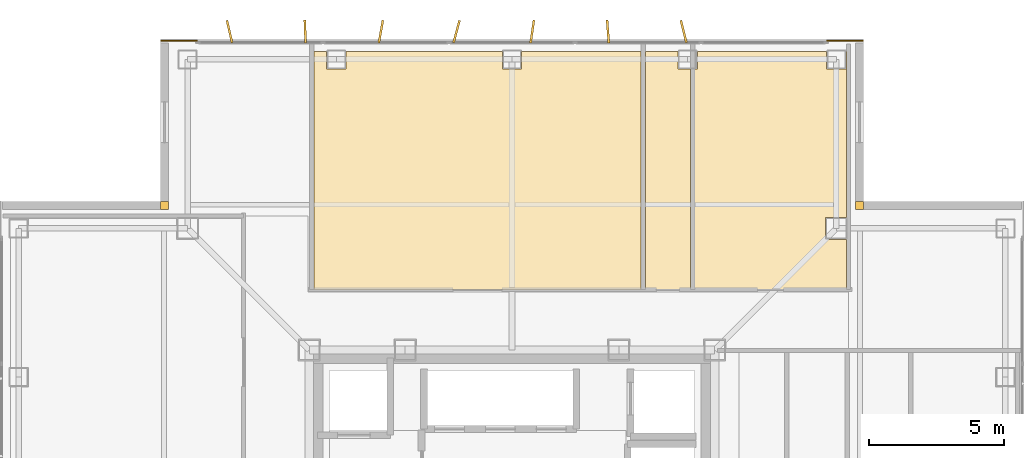
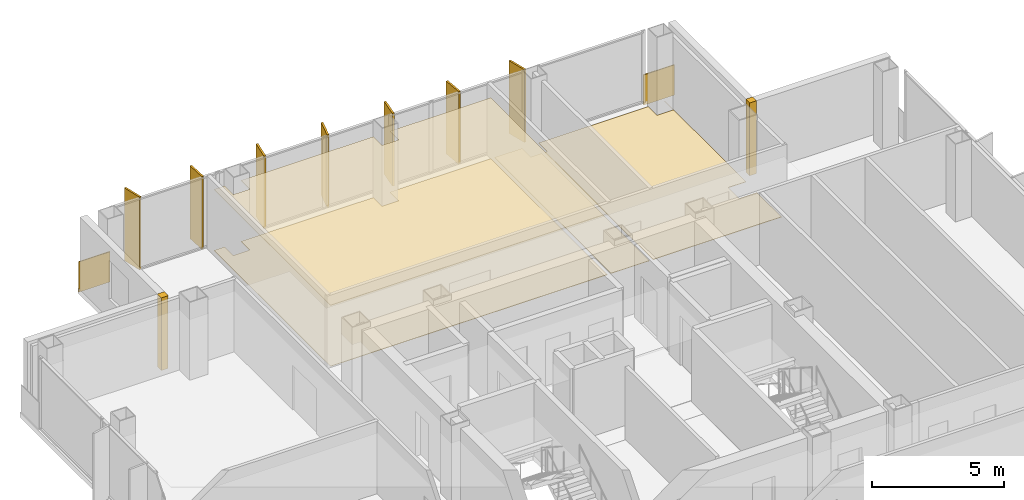
# One storey, part 15 of 15: 8 coverings, 7 shading devices.
"""IFC4 building model written with IfcOpenShell, lengths in metres."""

from ifc_helpers import new_model, si_unit, direction, frame, frame_2d, origin, origin_2d, place, context, subcontext, project, spatial, polyline, rectangle, outline, extrude, material, layer, layer_set, type_object, element, save


model = new_model("IFC4")

# Units and contexts
model_context = context("Model", 3, precision=1e-05, world=origin(), true_north=direction((0.0, 1.0)))
body_context = subcontext(model_context, "Body", "Model", "MODEL_VIEW")
ifc_project = project(units=[si_unit("LENGTHUNIT", "METRE"), si_unit("AREAUNIT", "SQUARE_METRE"), si_unit("VOLUMEUNIT", "CUBIC_METRE"), si_unit("PLANEANGLEUNIT", "RADIAN"), si_unit("MASSUNIT", "GRAM", prefix="KILO")], contexts=[model_context])

# Site, building, storey
site_placement = place(None, origin())
site = spatial("IfcSite", under=ifc_project, at=site_placement, CompositionType="ELEMENT")
building_placement = place(site_placement, origin())
building = spatial("IfcBuilding", under=site, at=building_placement, Name="Trevonay Congress Spire", CompositionType="ELEMENT")
storey_placement = place(building_placement, frame((0.0, 0.0, 261.199951171875)))
storey = spatial("IfcBuildingStorey", under=building, at=storey_placement, Name="L68", CompositionType="ELEMENT", Elevation=261.199951171875)

# Coverings
ifc_material_1 = material(Name="Acoustic Mineral Fibre Board", Category="gypsum")
ifc_layer_1 = layer(ifc_material_1, 0.02490234375, Name="Acoustic Mineral Fibre Board")
ifc_layer_set_1 = layer_set([ifc_layer_1], Name="Acoustic Mineral Fibre Board")
covering_type_1 = type_object("IfcCoveringType", Name="COV-CEIL-ACOUSTIC", PredefinedType="CEILING", material=ifc_layer_set_1)
covering_1_placement = place(storey_placement, frame((0.0, 0.0, 2.81005859375)))
element("IfcCovering", 1, at=covering_1_placement, inside=storey, type_object=covering_type_1, Name="L68 Sky Cocktail Lounge Bar acoustic suspended ceiling", PredefinedType="CEILING", context=body_context, shape_type="SweptSolid", body=[
    extrude(outline(polyline([(4.77001953125, 18.550048828125), (4.77001953125, 9.72998046875), (-7.320068359375, 9.72998046875), (-7.320068359375, 18.550048828125), (-6.860107421875, 18.550048828125), (-6.860107421875, 17.889892578125), (-6.139892578125, 17.889892578125), (-6.139892578125, 18.550048828125), (-0.360107421875, 18.550048828125), (-0.360107421875, 17.889892578125), (0.360107421875, 17.889892578125), (0.360107421875, 18.550048828125), (4.77001953125, 18.550048828125)])), origin(), (0.0, 0.0, 1.0), 0.02490234375),
])
ifc_material_2 = material(Name="Polished Granite Floor Tile", Category="masonry")
ifc_layer_2 = layer(ifc_material_2, 0.02001953125, Name="Polished Granite Floor Tile")
ifc_layer_set_2 = layer_set([ifc_layer_2], Name="Polished Granite Floor Tile")
covering_type_2 = type_object("IfcCoveringType", Name="COV-FLOOR-STONE", PredefinedType="FLOORING", material=ifc_layer_set_2)
covering_2_placement = place(storey_placement, origin())
element("IfcCovering", 2, at=covering_2_placement, inside=storey, type_object=covering_type_2, Name="L68 Sky Cocktail Lounge Bar floor finish", PredefinedType="FLOORING", context=body_context, shape_type="SweptSolid", body=[
    extrude(outline(polyline([(4.77001953125, 18.550048828125), (4.77001953125, 9.72998046875), (-7.320068359375, 9.72998046875), (-7.320068359375, 18.550048828125), (-6.860107421875, 18.550048828125), (-6.860107421875, 17.889892578125), (-6.139892578125, 17.889892578125), (-6.139892578125, 18.550048828125), (-0.360107421875, 18.550048828125), (-0.360107421875, 17.889892578125), (0.360107421875, 17.889892578125), (0.360107421875, 18.550048828125), (4.77001953125, 18.550048828125)])), origin(), (0.0, 0.0, 1.0), 0.02001953125),
])
covering_3_placement = place(storey_placement, origin())
element("IfcCovering", 3, at=covering_3_placement, inside=storey, type_object=covering_type_2, Name="L68 Accessible WC floor finish", PredefinedType="FLOORING", context=body_context, shape_type="SweptSolid", body=[
    extrude(outline(polyline([(6.60009765625, 9.72998046875), (4.929931640625, 9.72998046875), (4.929931640625, 18.550048828125), (6.139892578125, 18.550048828125), (6.139892578125, 17.889892578125), (6.60009765625, 17.889892578125), (6.60009765625, 9.72998046875)])), origin(), (0.0, 0.0, 1.0), 0.02001953125),
])
covering_4_placement = place(storey_placement, origin())
element("IfcCovering", 4, at=covering_4_placement, inside=storey, type_object=covering_type_2, Name="L68 Floor Supplies and Copy Room floor finish", PredefinedType="FLOORING", context=body_context, shape_type="SweptSolid", body=[
    extrude(outline(polyline([(12.3701171875, 9.72998046875), (6.760009765625, 9.72998046875), (6.760009765625, 17.889892578125), (6.860107421875, 17.889892578125), (6.860107421875, 18.550048828125), (11.639892578125, 18.550048828125), (11.639892578125, 17.889892578125), (12.360107421875, 17.889892578125), (12.360107421875, 18.550048828125), (12.3701171875, 18.550048828125), (12.3701171875, 12.409912109375), (11.590087890625, 12.409912109375), (11.590087890625, 11.590087890625), (12.3701171875, 11.590087890625), (12.3701171875, 9.72998046875)])), origin(), (0.0, 0.0, 1.0), 0.02001953125),
])
ifc_material_3 = material(Name="Pale Anodised Aluminium EN AW-6063-T6", Category="aluminium")
ifc_layer_3 = layer(ifc_material_3, 0.0400390625, Name="Pale Anodised Aluminium EN AW-6063-T6")
ifc_layer_set_3 = layer_set([ifc_layer_3], Name="Pale Anodised Aluminium EN AW-6063-T6")
covering_type_3 = type_object("IfcCoveringType", Name="COV-SPANDREL-PALE-METAL", PredefinedType="CLADDING", material=ifc_layer_set_3)
covering_5_placement = place(storey_placement, origin())
element("IfcCovering", 5, at=covering_5_placement, inside=storey, type_object=covering_type_3, Name="L68 NE re-entrant notch corner closure trim", PredefinedType="CLADDING", context=body_context, shape_type="SweptSolid", body=[
    extrude(outline(polyline([(12.699951171875, 12.699951171875), (13.0, 12.699951171875), (13.0, 13.0), (12.699951171875, 13.0), (12.699951171875, 12.699951171875)])), origin(), (0.0, 0.0, 1.0), 3.360107421875),
])
covering_6_placement = place(storey_placement, frame((11.64990234375, 18.93994140625, -0.14990234375), z_axis=(0.0, 0.0, 1.0), x_axis=(1.0, 0.0, 0.0)))
element("IfcCovering", 6, at=covering_6_placement, inside=storey, type_object=covering_type_3, Name="L68 NE corner pier spandrel cladding 2", PredefinedType="CLADDING", context=body_context, shape_type="SweptSolid", body=[
    extrude(rectangle(XDim=1.35009765625, YDim=0.0400390625, at=frame_2d((0.675048828125, 0.0))), origin(), (0.0, 0.0, 1.0), 1.39990234375),
])
covering_7_placement = place(storey_placement, origin())
element("IfcCovering", 7, at=covering_7_placement, inside=storey, type_object=covering_type_3, Name="L68 NW re-entrant notch corner closure trim", PredefinedType="CLADDING", context=body_context, shape_type="SweptSolid", body=[
    extrude(outline(polyline([(-13.0, 12.699951171875), (-12.699951171875, 12.699951171875), (-12.699951171875, 13.0), (-13.0, 13.0), (-13.0, 12.699951171875)])), origin(), (0.0, 0.0, 1.0), 3.360107421875),
])
covering_8_placement = place(storey_placement, frame((-11.64990234375, 18.93994140625, -0.14990234375), z_axis=(0.0, 0.0, 1.0), x_axis=(-1.0, 0.0, 0.0)))
element("IfcCovering", 8, at=covering_8_placement, inside=storey, type_object=covering_type_3, Name="L68 NW corner pier spandrel cladding 2", PredefinedType="CLADDING", context=body_context, shape_type="SweptSolid", body=[
    extrude(rectangle(XDim=1.35009765625, YDim=0.0400390625, at=frame_2d((0.675048828125, 0.0))), origin(), (0.0, 0.0, 1.0), 1.39990234375),
])

# Shading devices
shading_device_type = type_object("IfcShadingDeviceType", Name="SHD-FIN-Z4-PALE-METAL", PredefinedType="USERDEFINED", material=ifc_material_3)
for number, where, z_axis, x_axis, name in (
    (9, (-10.449951171875, 19.280029296875, 0.0), (0.0, 0.0, 1.0), (0.97440931131, 0.224780991261, 0.0), "L68 N vertical pale-metal solar fin 1"),
    (10, (-7.64990234375, 19.280029296875, 0.0), (0.0, 0.0, 1.0), (0.999235873152, 0.039085416795, 0.0), "L68 N vertical pale-metal solar fin 2"),
    (11, (-4.85009765625, 19.280029296875, 0.0), (0.0, 0.0, 1.0), (0.984195607969, -0.17708474032, 0.0), "L68 N vertical pale-metal solar fin 3"),
    (12, (-2.050048828125, 19.280029296875, 0.0), (0.0, 0.0, 1.0), (0.966106280664, -0.258144638645, 0.0), "L68 N vertical pale-metal solar fin 4"),
    (13, (0.75, 19.280029296875, 0.0), (0.0, 0.0, 1.0), (0.989144474801, -0.146946275799, 0.0), "L68 N vertical pale-metal solar fin 5"),
    (14, (3.550048828125, 19.280029296875, 0.0), (0.0, 0.0, 1.0), (0.997025911491, 0.077067060513, 0.0), "L68 N vertical pale-metal solar fin 6"),
    (15, (6.35009765625, 19.280029296875, 0.0), (0.0, 0.0, 1.0), (0.970464383152, 0.241244442494, 0.0), "L68 N vertical pale-metal solar fin 7"),
):
    element("IfcShadingDevice", number, at=place(storey_placement, frame(where, z_axis=z_axis, x_axis=x_axis)), inside=storey, type_object=shading_device_type, Name=name, ObjectType="SOLAR FIN", PredefinedType="USERDEFINED", context=body_context, shape_type="SweptSolid", body=[
        extrude(rectangle(XDim=0.080078125, YDim=0.85009765625, at=origin_2d()), origin(), (0.0, 0.0, 1.0), 3.360107421875),
    ])

save(model, "model.ifc")
